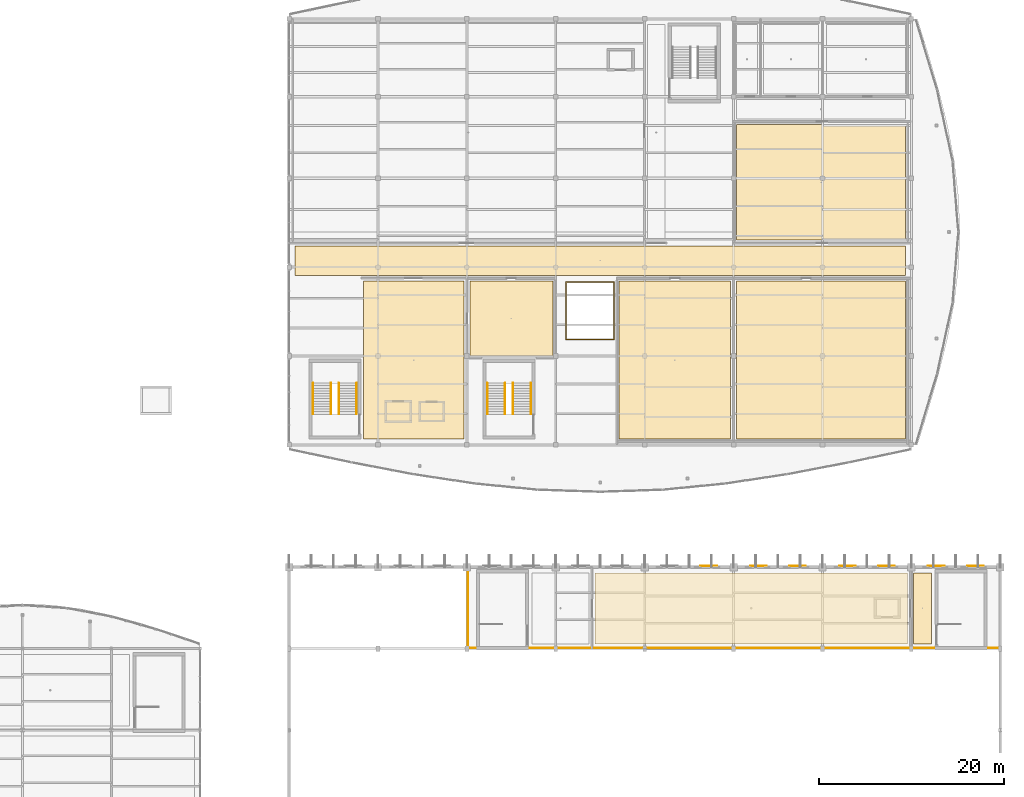
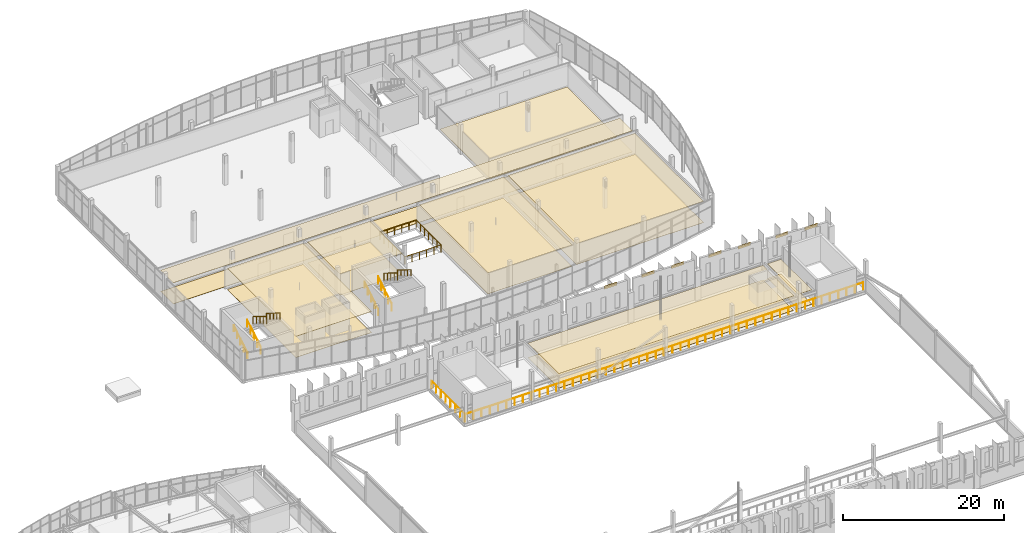
# One storey, part 113 of 114: 15 coverings, 10 railings, 7 shading devices, 2 elements without a shape of their own.
"""IFC4 building model written with IfcOpenShell, lengths in metres."""

from ifc_helpers import new_model, si_unit, direction, frame, origin, origin_2d, place, context, subcontext, project, spatial, polyline, rectangle, circle, outline, extrude, material, layer, layer_set, type_object, element, aggregate, save


model = new_model("IFC4")

# Units and contexts
model_context = context("Model", 3, precision=1e-05, world=origin(), true_north=direction((0.0, 1.0)))
body_context = subcontext(model_context, "Body", "Model", "MODEL_VIEW")
ifc_project = project(units=[si_unit("LENGTHUNIT", "METRE"), si_unit("AREAUNIT", "SQUARE_METRE"), si_unit("VOLUMEUNIT", "CUBIC_METRE"), si_unit("PLANEANGLEUNIT", "RADIAN"), si_unit("MASSUNIT", "GRAM", prefix="KILO")], contexts=[model_context])

# Site, building, storey
site_placement = place(None, origin())
site = spatial("IfcSite", under=ifc_project, at=site_placement, CompositionType="ELEMENT")
building_placement = place(site_placement, origin())
building = spatial("IfcBuilding", under=site, at=building_placement, Name="Chalmorin Arch Market", CompositionType="ELEMENT")
storey_placement = place(building_placement, frame((0.0, 0.0, 9.60009765625)))
storey = spatial("IfcBuildingStorey", under=building, at=storey_placement, Name="L02", CompositionType="ELEMENT", Elevation=9.60009765625)

# Coverings
ifc_material_1 = material(Name="Mineral Fibre Acoustic Tile")
ifc_layer_1 = layer(ifc_material_1, 0.044921875)
ifc_layer_set_1 = layer_set([ifc_layer_1], Name="Mineral Fibre Acoustic Tile")
covering_type_1 = type_object("IfcCoveringType", Name="AcousticBaffleCeiling-45", PredefinedType="CEILING", material=ifc_layer_set_1)
covering_1_placement = place(storey_placement, frame((0.0, 0.0, 2.184814453125)))
element("IfcCovering", 1, at=covering_1_placement, inside=storey, type_object=covering_type_1, Name="CLG-01-206", PredefinedType="CEILING", context=body_context, shape_type="SweptSolid", body=[
    extrude(outline(polyline([(81.02001953125, 50.52001953125), (114.780029296875, 50.52001953125), (114.780029296875, 58.179931640625), (81.02001953125, 58.179931640625), (81.02001953125, 50.52001953125)])), origin(), (0.0, 0.0, 1.0), 0.045166015625),
])
covering_2_placement = place(storey_placement, frame((0.0, 0.0, 2.184814453125)))
element("IfcCovering", 2, at=covering_2_placement, inside=storey, type_object=covering_type_1, Name="CLG-01-208", PredefinedType="CEILING", context=body_context, shape_type="SweptSolid", body=[
    extrude(outline(polyline([(115.419921875, 50.52001953125), (117.3798828125, 50.52001953125), (117.3798828125, 58.179931640625), (115.419921875, 58.179931640625), (115.419921875, 50.52001953125)])), origin(), (0.0, 0.0, 1.0), 0.045166015625),
])
covering_3_placement = place(storey_placement, frame((0.0, 0.0, 3.184814453125)))
element("IfcCovering", 3, at=covering_3_placement, inside=storey, type_object=covering_type_1, Name="CLG-01-227", PredefinedType="CEILING", context=body_context, shape_type="SweptSolid", body=[
    extrude(outline(polyline([(56.02001953125, 72.6201171875), (66.8798828125, 72.6201171875), (66.8798828125, 89.679931640625), (56.02001953125, 89.679931640625), (56.02001953125, 72.6201171875)])), origin(), (0.0, 0.0, 1.0), 0.045166015625),
])
covering_4_placement = place(storey_placement, frame((0.0, 0.0, 3.184814453125)))
element("IfcCovering", 4, at=covering_4_placement, inside=storey, type_object=covering_type_1, Name="CLG-01-229", PredefinedType="CEILING", context=body_context, shape_type="SweptSolid", body=[
    extrude(outline(polyline([(67.52001953125, 81.6201171875), (76.47998046875, 81.6201171875), (76.47998046875, 89.679931640625), (67.52001953125, 89.679931640625), (67.52001953125, 81.6201171875)])), origin(), (0.0, 0.0, 1.0), 0.045166015625),
])
covering_5_placement = place(storey_placement, frame((0.0, 0.0, 3.184814453125)))
element("IfcCovering", 5, at=covering_5_placement, inside=storey, type_object=covering_type_1, Name="CLG-01-231", PredefinedType="CEILING", context=body_context, shape_type="SweptSolid", body=[
    extrude(outline(polyline([(83.6201171875, 72.6201171875), (95.679931640625, 72.6201171875), (95.679931640625, 89.679931640625), (83.6201171875, 89.679931640625), (83.6201171875, 72.6201171875)])), origin(), (0.0, 0.0, 1.0), 0.045166015625),
])
covering_6_placement = place(storey_placement, frame((0.0, 0.0, 3.184814453125)))
element("IfcCovering", 6, at=covering_6_placement, inside=storey, type_object=covering_type_1, Name="CLG-01-233", PredefinedType="CEILING", context=body_context, shape_type="SweptSolid", body=[
    extrude(outline(polyline([(96.320068359375, 72.6201171875), (114.580078125, 72.6201171875), (114.580078125, 89.679931640625), (96.320068359375, 89.679931640625), (96.320068359375, 72.6201171875)])), origin(), (0.0, 0.0, 1.0), 0.045166015625),
])
covering_7_placement = place(storey_placement, frame((0.0, 0.0, 3.184814453125)))
element("IfcCovering", 7, at=covering_7_placement, inside=storey, type_object=covering_type_1, Name="CLG-01-235", PredefinedType="CEILING", context=body_context, shape_type="SweptSolid", body=[
    extrude(outline(polyline([(48.6201171875, 90.320068359375), (114.580078125, 90.320068359375), (114.580078125, 93.47998046875), (48.6201171875, 93.47998046875), (48.6201171875, 90.320068359375)])), origin(), (0.0, 0.0, 1.0), 0.045166015625),
])

# Shading devices
ifc_material_2 = material(Name="Aluminium 6063-T6", Category="aluminium")
ifc_layer_2 = layer(ifc_material_2, 0.080078125)
ifc_layer_set_2 = layer_set([ifc_layer_2], Name="Aluminium 6063-T6")
shading_device_type = type_object("IfcShadingDeviceType", Name="AcousticSunLouverPanel-1800x450", PredefinedType="JALOUSIE", material=ifc_layer_set_2)
for number, where, z_axis, x_axis, name in (
    (8, (93.31201171875, 58.919921875, 5.970703125), (0.0, 0.0, 1.0), (1.0, 0.0, 0.0), "LV-01-020"),
    (9, (98.68798828125, 58.919921875, 5.85791015625), (0.0, 0.0, 1.0), (1.0, 0.0, 0.0), "LV-01-023"),
    (10, (102.912109375, 58.919921875, 5.72900390625), (0.0, 0.0, 1.0), (1.0, 0.0, 0.0), "LV-01-024"),
    (11, (108.2880859375, 58.919921875, 5.51904296875), (0.0, 0.0, 1.0), (1.0, 0.0, 0.0), "LV-01-027"),
    (12, (112.511962890625, 58.919921875, 5.32470703125), (0.0, 0.0, 1.0), (1.0, 0.0, 0.0), "LV-01-028"),
    (13, (117.887939453125, 58.919921875, 5.0517578125), (0.0, 0.0, 1.0), (1.0, 0.0, 0.0), "LV-01-031"),
    (14, (122.112060546875, 58.919921875, 4.82275390625), (0.0, 0.0, 1.0), (1.0, 0.0, 0.0), "LV-01-032"),
):
    element("IfcShadingDevice", number, at=place(storey_placement, frame(where, z_axis=z_axis, x_axis=x_axis)), inside=storey, type_object=shading_device_type, Name=name, PredefinedType="JALOUSIE", context=body_context, shape_type="SweptSolid", body=[
        extrude(rectangle(XDim=1.800048828125, YDim=0.080078125, at=origin_2d()), origin(), (0.0, 0.0, 1.0), 0.449951171875),
    ])

# Covering
ifc_material_3 = material(Name="Epoxy Resin Flooring")
ifc_layer_3 = layer(ifc_material_3, 0.02001953125)
ifc_layer_set_3 = layer_set([ifc_layer_3], Name="Epoxy Resin Flooring")
covering_type_2 = type_object("IfcCoveringType", Name="EpoxySlipResistantKitchenFloor-20", PredefinedType="FLOORING", material=ifc_layer_set_3)
covering_8_placement = place(storey_placement, origin())
element("IfcCovering", 15, at=covering_8_placement, inside=storey, type_object=covering_type_2, Name="FLR-02-240", PredefinedType="FLOORING", context=body_context, shape_type="SweptSolid", body=[
    extrude(outline(polyline([(96.320068359375, 94.1201171875), (114.580078125, 94.1201171875), (114.580078125, 106.580078125), (96.320068359375, 106.580078125), (96.320068359375, 94.1201171875)])), origin(), (0.0, 0.0, 1.0), 0.02001953125),
])

# Railings
ifc_material_4 = material(Name="Laminated Acoustic Glass", Category="glass")
ifc_layer_4 = layer(ifc_material_4, 0.070068359375)
ifc_layer_set_4 = layer_set([ifc_layer_4], Name="Laminated Acoustic Glass")
railing_type_1 = type_object("IfcRailingType", Name="GlassBalustradeRailing-1150", PredefinedType="BALUSTRADE", material=ifc_layer_set_4)
railing_1_placement = place(storey_placement, frame((67.300048828125, 58.449951171875, 0.0)))
element("IfcRailing", 16, at=railing_1_placement, inside=storey, type_object=railing_type_1, Name="GR-007", PredefinedType="BALUSTRADE", context=body_context, shape_type="SweptSolid", body=[
    extrude(circle(Radius=0.02392578125, at=origin_2d()), frame((0.0, 0.0, 1.1259765625), z_axis=(0.0, -1.0, 0.0), x_axis=(1.0, 0.0, 0.0)), (0.0, 0.0, 1.0), 8.369873046875),
    extrude(circle(Radius=0.02392578125, at=origin_2d()), frame((0.0, -8.369873046875, 1.1259765625), z_axis=(1.0, 0.0, 0.0), x_axis=(0.0, 1.0, 0.0)), (0.0, 0.0, 1.0), 57.199951171875),
    extrude(circle(Radius=0.02099609375, at=origin_2d()), origin(), (0.0, 0.0, 1.0), 1.101806640625),
    extrude(circle(Radius=0.02099609375, at=origin_2d()), frame((0.0, -1.19580078125, 0.0)), (0.0, 0.0, 1.0), 1.101806640625),
    extrude(circle(Radius=0.02099609375, at=origin_2d()), frame((0.0, -2.391357421875, 0.0)), (0.0, 0.0, 1.0), 1.101806640625),
    extrude(circle(Radius=0.02099609375, at=origin_2d()), frame((0.0, -3.587158203125, 0.0)), (0.0, 0.0, 1.0), 1.101806640625),
    extrude(circle(Radius=0.02099609375, at=origin_2d()), frame((0.0, -4.78271484375, 0.0)), (0.0, 0.0, 1.0), 1.101806640625),
    extrude(circle(Radius=0.02099609375, at=origin_2d()), frame((0.0, -5.978515625, 0.0)), (0.0, 0.0, 1.0), 1.101806640625),
    extrude(circle(Radius=0.02099609375, at=origin_2d()), frame((0.0, -7.174072265625, 0.0)), (0.0, 0.0, 1.0), 1.101806640625),
    extrude(circle(Radius=0.02099609375, at=origin_2d()), frame((0.0, -8.369873046875, 0.0)), (0.0, 0.0, 1.0), 1.101806640625),
    extrude(circle(Radius=0.02099609375, at=origin_2d()), frame((1.191650390625, -8.369873046875, 0.0)), (0.0, 0.0, 1.0), 1.101806640625),
    extrude(circle(Radius=0.02099609375, at=origin_2d()), frame((2.38330078125, -8.369873046875, 0.0)), (0.0, 0.0, 1.0), 1.101806640625),
    extrude(circle(Radius=0.02099609375, at=origin_2d()), frame((3.574951171875, -8.369873046875, 0.0)), (0.0, 0.0, 1.0), 1.101806640625),
    extrude(circle(Radius=0.02099609375, at=origin_2d()), frame((4.7666015625, -8.369873046875, 0.0)), (0.0, 0.0, 1.0), 1.101806640625),
    extrude(circle(Radius=0.02099609375, at=origin_2d()), frame((5.958251953125, -8.369873046875, 0.0)), (0.0, 0.0, 1.0), 1.101806640625),
    extrude(circle(Radius=0.02099609375, at=origin_2d()), frame((7.14990234375, -8.369873046875, 0.0)), (0.0, 0.0, 1.0), 1.101806640625),
    extrude(circle(Radius=0.02099609375, at=origin_2d()), frame((8.341552734375, -8.369873046875, 0.0)), (0.0, 0.0, 1.0), 1.101806640625),
    extrude(circle(Radius=0.02099609375, at=origin_2d()), frame((9.533203125, -8.369873046875, 0.0)), (0.0, 0.0, 1.0), 1.101806640625),
    extrude(circle(Radius=0.02099609375, at=origin_2d()), frame((10.72509765625, -8.369873046875, 0.0)), (0.0, 0.0, 1.0), 1.101806640625),
    extrude(circle(Radius=0.02099609375, at=origin_2d()), frame((11.916748046875, -8.369873046875, 0.0)), (0.0, 0.0, 1.0), 1.101806640625),
    extrude(circle(Radius=0.02099609375, at=origin_2d()), frame((13.1083984375, -8.369873046875, 0.0)), (0.0, 0.0, 1.0), 1.101806640625),
    extrude(circle(Radius=0.02099609375, at=origin_2d()), frame((14.300048828125, -8.369873046875, 0.0)), (0.0, 0.0, 1.0), 1.101806640625),
    extrude(circle(Radius=0.02099609375, at=origin_2d()), frame((15.49169921875, -8.369873046875, 0.0)), (0.0, 0.0, 1.0), 1.101806640625),
    extrude(circle(Radius=0.02099609375, at=origin_2d()), frame((16.683349609375, -8.369873046875, 0.0)), (0.0, 0.0, 1.0), 1.101806640625),
    extrude(circle(Radius=0.02099609375, at=origin_2d()), frame((17.875, -8.369873046875, 0.0)), (0.0, 0.0, 1.0), 1.101806640625),
    extrude(circle(Radius=0.02099609375, at=origin_2d()), frame((19.066650390625, -8.369873046875, 0.0)), (0.0, 0.0, 1.0), 1.101806640625),
    extrude(circle(Radius=0.02099609375, at=origin_2d()), frame((20.25830078125, -8.369873046875, 0.0)), (0.0, 0.0, 1.0), 1.101806640625),
    extrude(circle(Radius=0.02099609375, at=origin_2d()), frame((21.449951171875, -8.369873046875, 0.0)), (0.0, 0.0, 1.0), 1.101806640625),
    extrude(circle(Radius=0.02099609375, at=origin_2d()), frame((22.6416015625, -8.369873046875, 0.0)), (0.0, 0.0, 1.0), 1.101806640625),
    extrude(circle(Radius=0.02099609375, at=origin_2d()), frame((23.833251953125, -8.369873046875, 0.0)), (0.0, 0.0, 1.0), 1.101806640625),
    extrude(circle(Radius=0.02099609375, at=origin_2d()), frame((25.02490234375, -8.369873046875, 0.0)), (0.0, 0.0, 1.0), 1.101806640625),
    extrude(circle(Radius=0.02099609375, at=origin_2d()), frame((26.216552734375, -8.369873046875, 0.0)), (0.0, 0.0, 1.0), 1.101806640625),
    extrude(circle(Radius=0.02099609375, at=origin_2d()), frame((27.408203125, -8.369873046875, 0.0)), (0.0, 0.0, 1.0), 1.101806640625),
    extrude(circle(Radius=0.02099609375, at=origin_2d()), frame((28.60009765625, -8.369873046875, 0.0)), (0.0, 0.0, 1.0), 1.101806640625),
    extrude(circle(Radius=0.02099609375, at=origin_2d()), frame((29.791748046875, -8.369873046875, 0.0)), (0.0, 0.0, 1.0), 1.101806640625),
    extrude(circle(Radius=0.02099609375, at=origin_2d()), frame((30.9833984375, -8.369873046875, 0.0)), (0.0, 0.0, 1.0), 1.101806640625),
    extrude(circle(Radius=0.02099609375, at=origin_2d()), frame((32.175048828125, -8.369873046875, 0.0)), (0.0, 0.0, 1.0), 1.101806640625),
    extrude(circle(Radius=0.02099609375, at=origin_2d()), frame((33.36669921875, -8.369873046875, 0.0)), (0.0, 0.0, 1.0), 1.101806640625),
    extrude(circle(Radius=0.02099609375, at=origin_2d()), frame((34.558349609375, -8.369873046875, 0.0)), (0.0, 0.0, 1.0), 1.101806640625),
    extrude(circle(Radius=0.02099609375, at=origin_2d()), frame((35.75, -8.369873046875, 0.0)), (0.0, 0.0, 1.0), 1.101806640625),
    extrude(circle(Radius=0.02099609375, at=origin_2d()), frame((36.941650390625, -8.369873046875, 0.0)), (0.0, 0.0, 1.0), 1.101806640625),
    extrude(circle(Radius=0.02099609375, at=origin_2d()), frame((38.13330078125, -8.369873046875, 0.0)), (0.0, 0.0, 1.0), 1.101806640625),
    extrude(circle(Radius=0.02099609375, at=origin_2d()), frame((39.324951171875, -8.369873046875, 0.0)), (0.0, 0.0, 1.0), 1.101806640625),
    extrude(circle(Radius=0.02099609375, at=origin_2d()), frame((40.5166015625, -8.369873046875, 0.0)), (0.0, 0.0, 1.0), 1.101806640625),
    extrude(circle(Radius=0.02099609375, at=origin_2d()), frame((41.708251953125, -8.369873046875, 0.0)), (0.0, 0.0, 1.0), 1.101806640625),
    extrude(circle(Radius=0.02099609375, at=origin_2d()), frame((42.89990234375, -8.369873046875, 0.0)), (0.0, 0.0, 1.0), 1.101806640625),
    extrude(circle(Radius=0.02099609375, at=origin_2d()), frame((44.091552734375, -8.369873046875, 0.0)), (0.0, 0.0, 1.0), 1.101806640625),
    extrude(circle(Radius=0.02099609375, at=origin_2d()), frame((45.283203125, -8.369873046875, 0.0)), (0.0, 0.0, 1.0), 1.101806640625),
    extrude(circle(Radius=0.02099609375, at=origin_2d()), frame((46.474853515625, -8.369873046875, 0.0)), (0.0, 0.0, 1.0), 1.101806640625),
    extrude(circle(Radius=0.02099609375, at=origin_2d()), frame((47.66650390625, -8.369873046875, 0.0)), (0.0, 0.0, 1.0), 1.101806640625),
    extrude(circle(Radius=0.02099609375, at=origin_2d()), frame((48.8583984375, -8.369873046875, 0.0)), (0.0, 0.0, 1.0), 1.101806640625),
    extrude(circle(Radius=0.02099609375, at=origin_2d()), frame((50.050048828125, -8.369873046875, 0.0)), (0.0, 0.0, 1.0), 1.101806640625),
    extrude(circle(Radius=0.02099609375, at=origin_2d()), frame((51.24169921875, -8.369873046875, 0.0)), (0.0, 0.0, 1.0), 1.101806640625),
    extrude(circle(Radius=0.02099609375, at=origin_2d()), frame((52.433349609375, -8.369873046875, 0.0)), (0.0, 0.0, 1.0), 1.101806640625),
    extrude(circle(Radius=0.02099609375, at=origin_2d()), frame((53.625, -8.369873046875, 0.0)), (0.0, 0.0, 1.0), 1.101806640625),
    extrude(circle(Radius=0.02099609375, at=origin_2d()), frame((54.816650390625, -8.369873046875, 0.0)), (0.0, 0.0, 1.0), 1.101806640625),
    extrude(circle(Radius=0.02099609375, at=origin_2d()), frame((56.00830078125, -8.369873046875, 0.0)), (0.0, 0.0, 1.0), 1.101806640625),
    extrude(circle(Radius=0.02099609375, at=origin_2d()), frame((57.199951171875, -8.369873046875, 0.0)), (0.0, 0.0, 1.0), 1.101806640625),
])
railing_2_placement = place(storey_placement, frame((77.89990234375, 83.39990234375, 0.0)))
element("IfcRailing", 17, at=railing_2_placement, inside=storey, type_object=railing_type_1, Name="GR-009", PredefinedType="BALUSTRADE", context=body_context, shape_type="SweptSolid", body=[
    extrude(circle(Radius=0.02392578125, at=origin_2d()), frame((0.0, 0.0, 1.1259765625), z_axis=(1.0, 0.0, 0.0), x_axis=(0.0, 1.0, 0.0)), (0.0, 0.0, 1.0), 5.2001953125),
    extrude(circle(Radius=0.02392578125, at=origin_2d()), frame((5.2001953125, 0.0, 1.1259765625), z_axis=(0.0, 1.0, 0.0), x_axis=(-1.0, 0.0, 0.0)), (0.0, 0.0, 1.0), 6.2001953125),
    extrude(circle(Radius=0.02392578125, at=origin_2d()), frame((5.2001953125, 6.2001953125, 1.1259765625), z_axis=(-1.0, 0.0, 0.0), x_axis=(0.0, -1.0, 0.0)), (0.0, 0.0, 1.0), 5.2001953125),
    extrude(circle(Radius=0.02392578125, at=origin_2d()), frame((0.0, 6.2001953125, 1.1259765625), z_axis=(0.0, -1.0, 0.0), x_axis=(1.0, 0.0, 0.0)), (0.0, 0.0, 1.0), 6.2001953125),
    extrude(circle(Radius=0.02099609375, at=origin_2d()), origin(), (0.0, 0.0, 1.0), 1.101806640625),
    extrude(circle(Radius=0.02099609375, at=origin_2d()), frame((1.0400390625, 0.0, 0.0)), (0.0, 0.0, 1.0), 1.101806640625),
    extrude(circle(Radius=0.02099609375, at=origin_2d()), frame((2.080078125, 0.0, 0.0)), (0.0, 0.0, 1.0), 1.101806640625),
    extrude(circle(Radius=0.02099609375, at=origin_2d()), frame((3.1201171875, 0.0, 0.0)), (0.0, 0.0, 1.0), 1.101806640625),
    extrude(circle(Radius=0.02099609375, at=origin_2d()), frame((4.16015625, 0.0, 0.0)), (0.0, 0.0, 1.0), 1.101806640625),
    extrude(circle(Radius=0.02099609375, at=origin_2d()), frame((5.2001953125, 0.0, 0.0)), (0.0, 0.0, 1.0), 1.101806640625),
    extrude(circle(Radius=0.02099609375, at=origin_2d()), frame((5.2001953125, 1.033447265625, 0.0)), (0.0, 0.0, 1.0), 1.101806640625),
    extrude(circle(Radius=0.02099609375, at=origin_2d()), frame((5.2001953125, 2.066650390625, 0.0)), (0.0, 0.0, 1.0), 1.101806640625),
    extrude(circle(Radius=0.02099609375, at=origin_2d()), frame((5.2001953125, 3.10009765625, 0.0)), (0.0, 0.0, 1.0), 1.101806640625),
    extrude(circle(Radius=0.02099609375, at=origin_2d()), frame((5.2001953125, 4.133544921875, 0.0)), (0.0, 0.0, 1.0), 1.101806640625),
    extrude(circle(Radius=0.02099609375, at=origin_2d()), frame((5.2001953125, 5.166748046875, 0.0)), (0.0, 0.0, 1.0), 1.101806640625),
    extrude(circle(Radius=0.02099609375, at=origin_2d()), frame((5.2001953125, 6.2001953125, 0.0)), (0.0, 0.0, 1.0), 1.101806640625),
    extrude(circle(Radius=0.02099609375, at=origin_2d()), frame((4.16015625, 6.2001953125, 0.0)), (0.0, 0.0, 1.0), 1.101806640625),
    extrude(circle(Radius=0.02099609375, at=origin_2d()), frame((3.1201171875, 6.2001953125, 0.0)), (0.0, 0.0, 1.0), 1.101806640625),
    extrude(circle(Radius=0.02099609375, at=origin_2d()), frame((2.080078125, 6.2001953125, 0.0)), (0.0, 0.0, 1.0), 1.101806640625),
    extrude(circle(Radius=0.02099609375, at=origin_2d()), frame((1.0400390625, 6.2001953125, 0.0)), (0.0, 0.0, 1.0), 1.101806640625),
    extrude(circle(Radius=0.02099609375, at=origin_2d()), frame((0.0, 6.2001953125, 0.0)), (0.0, 0.0, 1.0), 1.101806640625),
    extrude(circle(Radius=0.02099609375, at=origin_2d()), frame((0.0, 5.166748046875, 0.0)), (0.0, 0.0, 1.0), 1.101806640625),
    extrude(circle(Radius=0.02099609375, at=origin_2d()), frame((0.0, 4.133544921875, 0.0)), (0.0, 0.0, 1.0), 1.101806640625),
    extrude(circle(Radius=0.02099609375, at=origin_2d()), frame((0.0, 3.10009765625, 0.0)), (0.0, 0.0, 1.0), 1.101806640625),
    extrude(circle(Radius=0.02099609375, at=origin_2d()), frame((0.0, 2.066650390625, 0.0)), (0.0, 0.0, 1.0), 1.101806640625),
    extrude(circle(Radius=0.02099609375, at=origin_2d()), frame((0.0, 1.033447265625, 0.0)), (0.0, 0.0, 1.0), 1.101806640625),
])

# Stair, railings
ifc_material_5 = material(Name="Concrete C40/50", Category="concrete")
stair_type_1 = type_object("IfcStairType", Name="DoglegExitStair-26R-SC5", PredefinedType="HALF_TURN_STAIR", material=ifc_material_5)
stair_1_placement = place(storey_placement, origin())
stair_1 = element("IfcStair", 18, at=stair_1_placement, inside=storey, type_object=stair_type_1, Name="ST-14", PredefinedType="HALF_TURN_STAIR")
ifc_material_6 = material(Name="Stainless Steel 316", Category="steel")
ifc_layer_5 = layer(ifc_material_6, 0.048095703125)
ifc_layer_set_5 = layer_set([ifc_layer_5], Name="Stainless Steel 316")
railing_type_2 = type_object("IfcRailingType", Name="StairTubeHandrail-920", PredefinedType="HANDRAIL", material=ifc_layer_set_5)
railing_3_placement = place(storey_placement, frame((50.60009765625, 75.31005859375, 0.173095703125)))
railing_3 = element("IfcRailing", 19, at=railing_3_placement, type_object=railing_type_2, Name="HR-01-058", PredefinedType="HANDRAIL", context=body_context, shape_type="SweptSolid", body=[
    extrude(circle(Radius=0.02392578125, at=origin_2d()), frame((0.0, 0.0, 0.89599609375), z_axis=(0.0, 0.850606129759, 0.525803396734), x_axis=(-1.0, 0.0, 0.0)), (0.0, 0.0, 1.0), 3.949951171875),
    extrude(circle(Radius=0.02099609375, at=origin_2d()), origin(), (0.0, 0.0, 1.0), 0.871826171875),
    extrude(circle(Radius=0.02099609375, at=origin_2d()), frame((0.0, 0.83984375, 0.519287109375)), (0.0, 0.0, 1.0), 0.871826171875),
    extrude(circle(Radius=0.02099609375, at=origin_2d()), frame((0.0, 1.679931640625, 1.03857421875)), (0.0, 0.0, 1.0), 0.871826171875),
    extrude(circle(Radius=0.02099609375, at=origin_2d()), frame((0.0, 2.52001953125, 1.5576171875)), (0.0, 0.0, 1.0), 0.871826171875),
    extrude(circle(Radius=0.02099609375, at=origin_2d()), frame((0.0, 3.35986328125, 2.076904296875)), (0.0, 0.0, 1.0), 0.871826171875),
])
railing_4_placement = place(storey_placement, frame((55.300048828125, 78.669921875, 2.423095703125)))
railing_4 = element("IfcRailing", 20, at=railing_4_placement, type_object=railing_type_2, Name="HR-01-061", PredefinedType="HANDRAIL", context=body_context, shape_type="SweptSolid", body=[
    extrude(circle(Radius=0.02392578125, at=origin_2d()), frame((0.0, 0.0, 0.89599609375), z_axis=(0.0, -0.850606129759, 0.525803396734), x_axis=(1.0, 0.0, 0.0)), (0.0, 0.0, 1.0), 3.949951171875),
    extrude(circle(Radius=0.02099609375, at=origin_2d()), origin(), (0.0, 0.0, 1.0), 0.871826171875),
    extrude(circle(Radius=0.02099609375, at=origin_2d()), frame((0.0, -0.83984375, 0.519287109375)), (0.0, 0.0, 1.0), 0.871826171875),
    extrude(circle(Radius=0.02099609375, at=origin_2d()), frame((0.0, -1.679931640625, 1.03857421875)), (0.0, 0.0, 1.0), 0.871826171875),
    extrude(circle(Radius=0.02099609375, at=origin_2d()), frame((0.0, -2.52001953125, 1.5576171875)), (0.0, 0.0, 1.0), 0.871826171875),
    extrude(circle(Radius=0.02099609375, at=origin_2d()), frame((0.0, -3.35986328125, 2.076904296875)), (0.0, 0.0, 1.0), 0.871826171875),
])

stair_type_2 = type_object("IfcStairType", Name="DoglegExitStair-26R-SC7", PredefinedType="HALF_TURN_STAIR", material=ifc_material_5)
stair_2_placement = place(storey_placement, origin())
stair_2 = element("IfcStair", 21, at=stair_2_placement, inside=storey, type_object=stair_type_2, Name="ST-22", PredefinedType="HALF_TURN_STAIR")
railing_5_placement = place(storey_placement, frame((69.39990234375, 75.31005859375, 0.173095703125)))
railing_5 = element("IfcRailing", 22, at=railing_5_placement, type_object=railing_type_2, Name="HR-01-092", PredefinedType="HANDRAIL", context=body_context, shape_type="SweptSolid", body=[
    extrude(circle(Radius=0.02392578125, at=origin_2d()), frame((0.0, 0.0, 0.89599609375), z_axis=(0.0, 0.850606129759, 0.525803396734), x_axis=(-1.0, 0.0, 0.0)), (0.0, 0.0, 1.0), 3.949951171875),
    extrude(circle(Radius=0.02099609375, at=origin_2d()), origin(), (0.0, 0.0, 1.0), 0.871826171875),
    extrude(circle(Radius=0.02099609375, at=origin_2d()), frame((0.0, 0.83984375, 0.519287109375)), (0.0, 0.0, 1.0), 0.871826171875),
    extrude(circle(Radius=0.02099609375, at=origin_2d()), frame((0.0, 1.679931640625, 1.03857421875)), (0.0, 0.0, 1.0), 0.871826171875),
    extrude(circle(Radius=0.02099609375, at=origin_2d()), frame((0.0, 2.52001953125, 1.5576171875)), (0.0, 0.0, 1.0), 0.871826171875),
    extrude(circle(Radius=0.02099609375, at=origin_2d()), frame((0.0, 3.35986328125, 2.076904296875)), (0.0, 0.0, 1.0), 0.871826171875),
])
railing_6_placement = place(storey_placement, frame((74.10009765625, 78.669921875, 2.423095703125)))
railing_6 = element("IfcRailing", 23, at=railing_6_placement, type_object=railing_type_2, Name="HR-01-095", PredefinedType="HANDRAIL", context=body_context, shape_type="SweptSolid", body=[
    extrude(circle(Radius=0.02392578125, at=origin_2d()), frame((0.0, 0.0, 0.89599609375), z_axis=(0.0, -0.850606129759, 0.525803396734), x_axis=(1.0, 0.0, 0.0)), (0.0, 0.0, 1.0), 3.949951171875),
    extrude(circle(Radius=0.02099609375, at=origin_2d()), origin(), (0.0, 0.0, 1.0), 0.871826171875),
    extrude(circle(Radius=0.02099609375, at=origin_2d()), frame((0.0, -0.83984375, 0.519287109375)), (0.0, 0.0, 1.0), 0.871826171875),
    extrude(circle(Radius=0.02099609375, at=origin_2d()), frame((0.0, -1.679931640625, 1.03857421875)), (0.0, 0.0, 1.0), 0.871826171875),
    extrude(circle(Radius=0.02099609375, at=origin_2d()), frame((0.0, -2.52001953125, 1.5576171875)), (0.0, 0.0, 1.0), 0.871826171875),
    extrude(circle(Radius=0.02099609375, at=origin_2d()), frame((0.0, -3.35986328125, 2.076904296875)), (0.0, 0.0, 1.0), 0.871826171875),
])

# Railing
ifc_material_7 = material(Name="Galvanised Steel", Category="steel")
ifc_layer_6 = layer(ifc_material_7, 0.054931640625)
ifc_layer_set_6 = layer_set([ifc_layer_6], Name="Galvanised Steel")
railing_type_3 = type_object("IfcRailingType", Name="StairWellGuardrail-1100", PredefinedType="GUARDRAIL", material=ifc_layer_set_6)
railing_7_placement = place(storey_placement, frame((52.530029296875, 75.31005859375, 0.173095703125)))
railing_7 = element("IfcRailing", 24, at=railing_7_placement, type_object=railing_type_3, Name="SG-01-059", PredefinedType="GUARDRAIL", context=body_context, shape_type="SweptSolid", body=[
    extrude(circle(Radius=0.02392578125, at=origin_2d()), frame((0.0, 0.0, 1.076171875), z_axis=(0.0, 0.850606129759, 0.525803396734), x_axis=(-1.0, 0.0, 0.0)), (0.0, 0.0, 1.0), 3.949951171875),
    extrude(circle(Radius=0.02099609375, at=origin_2d()), origin(), (0.0, 0.0, 1.0), 1.052001953125),
    extrude(circle(Radius=0.02099609375, at=origin_2d()), frame((0.0, 0.83984375, 0.519287109375)), (0.0, 0.0, 1.0), 1.052001953125),
    extrude(circle(Radius=0.02099609375, at=origin_2d()), frame((0.0, 1.679931640625, 1.03857421875)), (0.0, 0.0, 1.0), 1.052001953125),
    extrude(circle(Radius=0.02099609375, at=origin_2d()), frame((0.0, 2.52001953125, 1.5576171875)), (0.0, 0.0, 1.0), 1.052001953125),
    extrude(circle(Radius=0.02099609375, at=origin_2d()), frame((0.0, 3.35986328125, 2.076904296875)), (0.0, 0.0, 1.0), 1.052001953125),
])

railing_8_placement = place(storey_placement, frame((53.3701171875, 78.669921875, 2.423095703125)))
railing_8 = element("IfcRailing", 25, at=railing_8_placement, type_object=railing_type_3, Name="SG-01-060", PredefinedType="GUARDRAIL", context=body_context, shape_type="SweptSolid", body=[
    extrude(circle(Radius=0.02392578125, at=origin_2d()), frame((0.0, 0.0, 1.076171875), z_axis=(0.0, -0.850606129759, 0.525803396734), x_axis=(1.0, 0.0, 0.0)), (0.0, 0.0, 1.0), 3.949951171875),
    extrude(circle(Radius=0.02099609375, at=origin_2d()), origin(), (0.0, 0.0, 1.0), 1.052001953125),
    extrude(circle(Radius=0.02099609375, at=origin_2d()), frame((0.0, -0.83984375, 0.519287109375)), (0.0, 0.0, 1.0), 1.052001953125),
    extrude(circle(Radius=0.02099609375, at=origin_2d()), frame((0.0, -1.679931640625, 1.03857421875)), (0.0, 0.0, 1.0), 1.052001953125),
    extrude(circle(Radius=0.02099609375, at=origin_2d()), frame((0.0, -2.52001953125, 1.5576171875)), (0.0, 0.0, 1.0), 1.052001953125),
    extrude(circle(Radius=0.02099609375, at=origin_2d()), frame((0.0, -3.35986328125, 2.076904296875)), (0.0, 0.0, 1.0), 1.052001953125),
])

aggregate(stair_1, [railing_3, railing_7, railing_8, railing_4])

railing_9_placement = place(storey_placement, frame((71.330078125, 75.31005859375, 0.173095703125)))
railing_9 = element("IfcRailing", 26, at=railing_9_placement, type_object=railing_type_3, Name="SG-01-093", PredefinedType="GUARDRAIL", context=body_context, shape_type="SweptSolid", body=[
    extrude(circle(Radius=0.02392578125, at=origin_2d()), frame((0.0, 0.0, 1.076171875), z_axis=(0.0, 0.850606129759, 0.525803396734), x_axis=(-1.0, 0.0, 0.0)), (0.0, 0.0, 1.0), 3.949951171875),
    extrude(circle(Radius=0.02099609375, at=origin_2d()), origin(), (0.0, 0.0, 1.0), 1.052001953125),
    extrude(circle(Radius=0.02099609375, at=origin_2d()), frame((0.0, 0.83984375, 0.519287109375)), (0.0, 0.0, 1.0), 1.052001953125),
    extrude(circle(Radius=0.02099609375, at=origin_2d()), frame((0.0, 1.679931640625, 1.03857421875)), (0.0, 0.0, 1.0), 1.052001953125),
    extrude(circle(Radius=0.02099609375, at=origin_2d()), frame((0.0, 2.52001953125, 1.5576171875)), (0.0, 0.0, 1.0), 1.052001953125),
    extrude(circle(Radius=0.02099609375, at=origin_2d()), frame((0.0, 3.35986328125, 2.076904296875)), (0.0, 0.0, 1.0), 1.052001953125),
])

railing_10_placement = place(storey_placement, frame((72.169921875, 78.669921875, 2.423095703125)))
railing_10 = element("IfcRailing", 27, at=railing_10_placement, type_object=railing_type_3, Name="SG-01-094", PredefinedType="GUARDRAIL", context=body_context, shape_type="SweptSolid", body=[
    extrude(circle(Radius=0.02392578125, at=origin_2d()), frame((0.0, 0.0, 1.076171875), z_axis=(0.0, -0.850606129759, 0.525803396734), x_axis=(1.0, 0.0, 0.0)), (0.0, 0.0, 1.0), 3.949951171875),
    extrude(circle(Radius=0.02099609375, at=origin_2d()), origin(), (0.0, 0.0, 1.0), 1.052001953125),
    extrude(circle(Radius=0.02099609375, at=origin_2d()), frame((0.0, -0.83984375, 0.519287109375)), (0.0, 0.0, 1.0), 1.052001953125),
    extrude(circle(Radius=0.02099609375, at=origin_2d()), frame((0.0, -1.679931640625, 1.03857421875)), (0.0, 0.0, 1.0), 1.052001953125),
    extrude(circle(Radius=0.02099609375, at=origin_2d()), frame((0.0, -2.52001953125, 1.5576171875)), (0.0, 0.0, 1.0), 1.052001953125),
    extrude(circle(Radius=0.02099609375, at=origin_2d()), frame((0.0, -3.35986328125, 2.076904296875)), (0.0, 0.0, 1.0), 1.052001953125),
])

aggregate(stair_2, [railing_5, railing_9, railing_10, railing_6])

# Coverings
ifc_material_8 = material(Name="Polished Terrazzo")
ifc_layer_7 = layer(ifc_material_8, 0.02490234375)
ifc_layer_set_7 = layer_set([ifc_layer_7], Name="Polished Terrazzo")
covering_type_3 = type_object("IfcCoveringType", Name="TerrazzoMarketFloorFinish-25", PredefinedType="FLOORING", material=ifc_layer_set_7)
covering_9_placement = place(storey_placement, origin())
element("IfcCovering", 28, at=covering_9_placement, inside=storey, type_object=covering_type_3, Name="FLR-01-205", PredefinedType="FLOORING", context=body_context, shape_type="SweptSolid", body=[
    extrude(outline(polyline([(81.02001953125, 50.52001953125), (114.780029296875, 50.52001953125), (114.780029296875, 58.179931640625), (81.02001953125, 58.179931640625), (81.02001953125, 50.52001953125)])), origin(), (0.0, 0.0, 1.0), 0.02490234375),
])
covering_10_placement = place(storey_placement, origin())
element("IfcCovering", 29, at=covering_10_placement, inside=storey, type_object=covering_type_3, Name="FLR-01-207", PredefinedType="FLOORING", context=body_context, shape_type="SweptSolid", body=[
    extrude(outline(polyline([(115.419921875, 50.52001953125), (117.3798828125, 50.52001953125), (117.3798828125, 58.179931640625), (115.419921875, 58.179931640625), (115.419921875, 50.52001953125)])), origin(), (0.0, 0.0, 1.0), 0.02490234375),
])
covering_11_placement = place(storey_placement, origin())
element("IfcCovering", 30, at=covering_11_placement, inside=storey, type_object=covering_type_3, Name="FLR-01-226", PredefinedType="FLOORING", context=body_context, shape_type="SweptSolid", body=[
    extrude(outline(polyline([(56.02001953125, 72.6201171875), (66.8798828125, 72.6201171875), (66.8798828125, 89.679931640625), (56.02001953125, 89.679931640625), (56.02001953125, 72.6201171875)])), origin(), (0.0, 0.0, 1.0), 0.02490234375),
])
covering_12_placement = place(storey_placement, origin())
element("IfcCovering", 31, at=covering_12_placement, inside=storey, type_object=covering_type_3, Name="FLR-01-228", PredefinedType="FLOORING", context=body_context, shape_type="SweptSolid", body=[
    extrude(outline(polyline([(67.52001953125, 81.6201171875), (76.47998046875, 81.6201171875), (76.47998046875, 89.679931640625), (67.52001953125, 89.679931640625), (67.52001953125, 81.6201171875)])), origin(), (0.0, 0.0, 1.0), 0.02490234375),
])
covering_13_placement = place(storey_placement, origin())
element("IfcCovering", 32, at=covering_13_placement, inside=storey, type_object=covering_type_3, Name="FLR-01-230", PredefinedType="FLOORING", context=body_context, shape_type="SweptSolid", body=[
    extrude(outline(polyline([(83.6201171875, 72.6201171875), (95.679931640625, 72.6201171875), (95.679931640625, 89.679931640625), (83.6201171875, 89.679931640625), (83.6201171875, 72.6201171875)])), origin(), (0.0, 0.0, 1.0), 0.02490234375),
])
covering_14_placement = place(storey_placement, origin())
element("IfcCovering", 33, at=covering_14_placement, inside=storey, type_object=covering_type_3, Name="FLR-01-232", PredefinedType="FLOORING", context=body_context, shape_type="SweptSolid", body=[
    extrude(outline(polyline([(96.320068359375, 72.6201171875), (114.580078125, 72.6201171875), (114.580078125, 89.679931640625), (96.320068359375, 89.679931640625), (96.320068359375, 72.6201171875)])), origin(), (0.0, 0.0, 1.0), 0.02490234375),
])
covering_15_placement = place(storey_placement, origin())
element("IfcCovering", 34, at=covering_15_placement, inside=storey, type_object=covering_type_3, Name="FLR-01-234", PredefinedType="FLOORING", context=body_context, shape_type="SweptSolid", body=[
    extrude(outline(polyline([(48.6201171875, 90.320068359375), (114.580078125, 90.320068359375), (114.580078125, 93.47998046875), (48.6201171875, 93.47998046875), (48.6201171875, 90.320068359375)])), origin(), (0.0, 0.0, 1.0), 0.02490234375),
])

save(model, "model.ifc")
